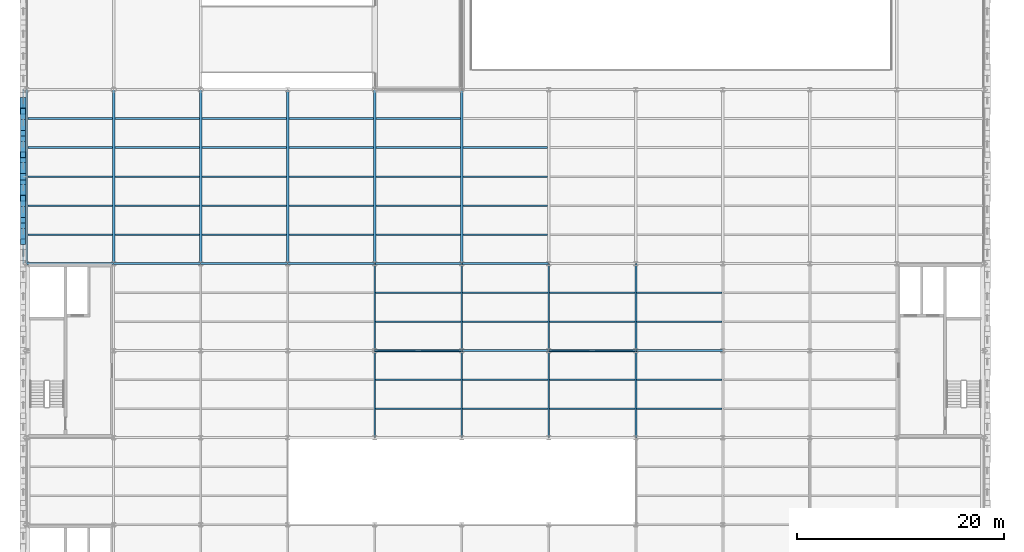
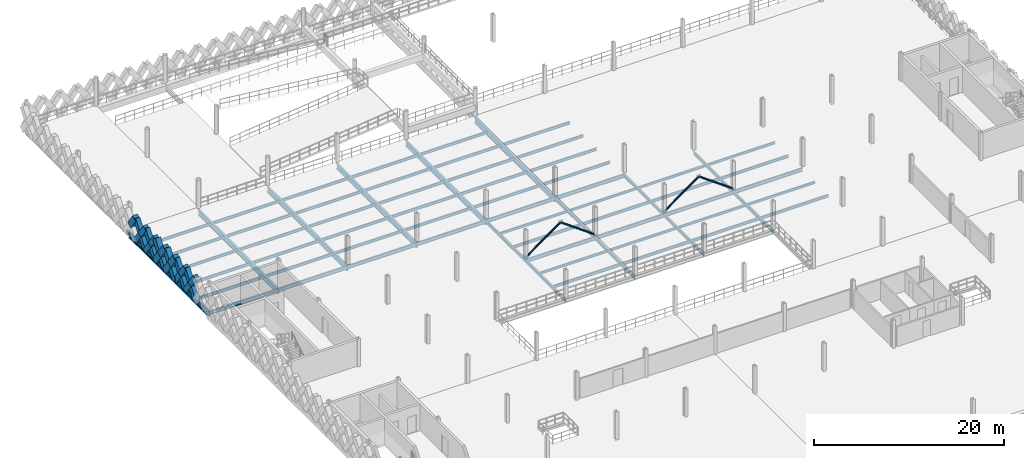
# One storey, part 26 of 74: 69 beams, 25 members.
"""IFC4 building model written with IfcOpenShell, lengths in metres."""

from ifc_helpers import new_model, si_unit, direction, frame, origin, origin_2d, place, context, subcontext, project, spatial, rectangle, hollow_rectangle, hollow_circle, i_section, extrude, material, material_profile, profile_set, type_object, element, save


model = new_model("IFC4")

# Units and contexts
model_context = context("Model", 3, precision=1e-05, world=origin(), true_north=direction((0.0, 1.0)))
body_context = subcontext(model_context, "Body", "Model", "MODEL_VIEW")
ifc_project = project(units=[si_unit("LENGTHUNIT", "METRE"), si_unit("AREAUNIT", "SQUARE_METRE"), si_unit("VOLUMEUNIT", "CUBIC_METRE"), si_unit("PLANEANGLEUNIT", "RADIAN"), si_unit("MASSUNIT", "GRAM", prefix="KILO"), si_unit("THERMODYNAMICTEMPERATUREUNIT", "KELVIN"), si_unit("POWERUNIT", "WATT")], contexts=[model_context])

# Site, building, storey
site_placement = place(None, origin())
site = spatial("IfcSite", under=ifc_project, at=site_placement, CompositionType="ELEMENT")
building_placement = place(site_placement, origin())
building = spatial("IfcBuilding", under=site, at=building_placement, Name="Tembeka Court Mobility Hub", CompositionType="ELEMENT")
storey_placement = place(building_placement, frame((0.0, 0.0, 12.60009765625)))
storey = spatial("IfcBuildingStorey", under=building, at=storey_placement, Name="L03", CompositionType="ELEMENT", Elevation=12.60009765625)

# Beams
ifc_material_1 = material(Name="Steel S355", Category="steel")
ifc_material_profile_1 = material_profile(ifc_material_1, i_section(OverallWidth=0.18994140625, OverallDepth=0.45703125, WebThickness=0.009033203125, FlangeThickness=0.014404296875, FilletRadius=0.01025390625, at=origin_2d()), Name="UKB 457x191x74")
ifc_profile_set_1 = profile_set([ifc_material_profile_1], Name="Steel S355")
beam_type_1 = type_object("IfcBeamType", Name="BM-B01", PredefinedType="BEAM", material=ifc_profile_set_1)
for number, where, z_axis, x_axis, name in (
    (1, (33.60009765625, 72.0, -0.448486328125), (1.0, 0.0, 0.0), (0.0, 1.0, 0.0), "Beam B01 (BM-L03-X1775)"),
    (2, (42.0, 72.0, -0.448486328125), (1.0, 0.0, 0.0), (0.0, 1.0, 0.0), "Beam B01 (BM-L03-X1776)"),
):
    element("IfcBeam", number, at=place(storey_placement, frame(where, z_axis=z_axis, x_axis=x_axis)), inside=storey, type_object=beam_type_1, Name=name, PredefinedType="BEAM", context=body_context, shape_type="SweptSolid", body=[
        extrude(i_section(OverallWidth=0.18994140625, OverallDepth=0.45703125, WebThickness=0.009033203125, FlangeThickness=0.014404296875, FilletRadius=0.01025390625, at=origin_2d()), origin(), (0.0, 0.0, 1.0), 8.39990234375),
    ])
beam_1_placement = place(storey_placement, frame((50.39990234375, 72.0, -0.448486328125), z_axis=(1.0, 0.0, 0.0), x_axis=(0.0, 1.0, 0.0)))
element("IfcBeam", 3, at=beam_1_placement, inside=storey, type_object=beam_type_1, Name="Beam B01 (BM-L03-X1777)", PredefinedType="BEAM", context=body_context, shape_type="SweptSolid", body=[
    extrude(i_section(OverallWidth=0.18994140625, OverallDepth=0.45703125, WebThickness=0.009033203125, FlangeThickness=0.014404296875, FilletRadius=0.01025390625, at=origin_2d()), origin(), (0.0, 0.0, 1.0), 8.400146484375),
])
for number, where, z_axis, x_axis, name in (
    (4, (58.800048828125, 72.0, -0.448486328125), (1.0, 0.0, 0.0), (0.0, 1.0, 0.0), "Beam B01 (BM-L03-X1778)"),
    (5, (0.0, 80.39990234375, -0.448486328125), (1.0, 0.0, 0.0), (0.0, 1.0, 0.0), "Beam B01 (BM-L03-X1781)"),
):
    element("IfcBeam", number, at=place(storey_placement, frame(where, z_axis=z_axis, x_axis=x_axis)), inside=storey, type_object=beam_type_1, Name=name, PredefinedType="BEAM", context=body_context, shape_type="SweptSolid", body=[
        extrude(i_section(OverallWidth=0.18994140625, OverallDepth=0.45703125, WebThickness=0.009033203125, FlangeThickness=0.014404296875, FilletRadius=0.01025390625, at=origin_2d()), origin(), (0.0, 0.0, 1.0), 8.39990234375),
    ])
beam_2_placement = place(storey_placement, frame((8.39990234375, 80.39990234375, -0.448486328125), z_axis=(1.0, 0.0, 0.0), x_axis=(0.0, 1.0, 0.0)))
element("IfcBeam", 6, at=beam_2_placement, inside=storey, type_object=beam_type_1, Name="Beam B01 (BM-L03-X1782)", PredefinedType="BEAM", context=body_context, shape_type="SweptSolid", body=[
    extrude(i_section(OverallWidth=0.18994140625, OverallDepth=0.45703125, WebThickness=0.009033203125, FlangeThickness=0.014404296875, FilletRadius=0.01025390625, at=origin_2d()), origin(), (0.0, 0.0, 1.0), 8.400146484375),
])
beam_3_placement = place(storey_placement, frame((16.800048828125, 80.39990234375, -0.448486328125), z_axis=(1.0, 0.0, 0.0), x_axis=(0.0, 1.0, 0.0)))
element("IfcBeam", 7, at=beam_3_placement, inside=storey, type_object=beam_type_1, Name="Beam B01 (BM-L03-X1783)", PredefinedType="BEAM", context=body_context, shape_type="SweptSolid", body=[
    extrude(i_section(OverallWidth=0.18994140625, OverallDepth=0.45703125, WebThickness=0.009033203125, FlangeThickness=0.014404296875, FilletRadius=0.01025390625, at=origin_2d()), origin(), (0.0, 0.0, 1.0), 8.39990234375),
])
beam_4_placement = place(storey_placement, frame((25.199951171875, 80.39990234375, -0.448486328125), z_axis=(1.0, 0.0, 0.0), x_axis=(0.0, 1.0, 0.0)))
element("IfcBeam", 8, at=beam_4_placement, inside=storey, type_object=beam_type_1, Name="Beam B01 (BM-L03-X1784)", PredefinedType="BEAM", context=body_context, shape_type="SweptSolid", body=[
    extrude(i_section(OverallWidth=0.18994140625, OverallDepth=0.45703125, WebThickness=0.009033203125, FlangeThickness=0.014404296875, FilletRadius=0.01025390625, at=origin_2d()), origin(), (0.0, 0.0, 1.0), 8.400146484375),
])
for number, where, z_axis, x_axis, name in (
    (9, (33.60009765625, 80.39990234375, -0.448486328125), (1.0, 0.0, 0.0), (0.0, 1.0, 0.0), "Beam B01 (BM-L03-X1785)"),
    (10, (42.0, 80.39990234375, -0.448486328125), (1.0, 0.0, 0.0), (0.0, 1.0, 0.0), "Beam B01 (BM-L03-X1786)"),
):
    element("IfcBeam", number, at=place(storey_placement, frame(where, z_axis=z_axis, x_axis=x_axis)), inside=storey, type_object=beam_type_1, Name=name, PredefinedType="BEAM", context=body_context, shape_type="SweptSolid", body=[
        extrude(i_section(OverallWidth=0.18994140625, OverallDepth=0.45703125, WebThickness=0.009033203125, FlangeThickness=0.014404296875, FilletRadius=0.01025390625, at=origin_2d()), origin(), (0.0, 0.0, 1.0), 8.39990234375),
    ])
ifc_material_profile_2 = material_profile(ifc_material_1, i_section(OverallWidth=0.177978515625, OverallDepth=0.406005859375, WebThickness=0.0078125, FlangeThickness=0.0126953125, FilletRadius=0.01025390625, at=origin_2d()), Name="UKB 406x178x60")
ifc_profile_set_2 = profile_set([ifc_material_profile_2], Name="Steel S355")
beam_type_2 = type_object("IfcBeamType", Name="BM-B02", PredefinedType="BEAM", material=ifc_profile_set_2)
for number, where, z_axis, x_axis, name in (
    (11, (33.60009765625, 63.60009765625, -0.423095703125), (0.0, 1.0, 0.0), (-1.0, 0.0, 0.0), "Beam B02 (BM-L03-Y1859)"),
    (12, (33.60009765625, 72.0, -0.423095703125), (0.0, 1.0, 0.0), (-1.0, 0.0, 0.0), "Beam B02 (BM-L03-Y1860)"),
    (13, (42.0, 63.60009765625, -0.423095703125), (0.0, 1.0, 0.0), (-1.0, 0.0, 0.0), "Beam B02 (BM-L03-Y1867)"),
    (14, (42.0, 72.0, -0.423095703125), (0.0, 1.0, 0.0), (-1.0, 0.0, 0.0), "Beam B02 (BM-L03-Y1868)"),
    (15, (50.39990234375, 63.60009765625, -0.423095703125), (0.0, 1.0, 0.0), (-1.0, 0.0, 0.0), "Beam B02 (BM-L03-Y1875)"),
    (16, (50.39990234375, 72.0, -0.423095703125), (0.0, 1.0, 0.0), (-1.0, 0.0, 0.0), "Beam B02 (BM-L03-Y1876)"),
    (17, (58.800048828125, 63.60009765625, -0.423095703125), (0.0, 1.0, 0.0), (-1.0, 0.0, 0.0), "Beam B02 (BM-L03-Y1882)"),
    (18, (58.800048828125, 72.0, -0.423095703125), (0.0, 1.0, 0.0), (-1.0, 0.0, 0.0), "Beam B02 (BM-L03-Y1883)"),
):
    element("IfcBeam", number, at=place(storey_placement, frame(where, z_axis=z_axis, x_axis=x_axis)), inside=storey, type_object=beam_type_2, Name=name, PredefinedType="BEAM", context=body_context, shape_type="SweptSolid", body=[
        extrude(i_section(OverallWidth=0.177978515625, OverallDepth=0.406005859375, WebThickness=0.0078125, FlangeThickness=0.0126953125, FilletRadius=0.01025390625, at=origin_2d()), origin(), (0.0, 0.0, 1.0), 8.39990234375),
    ])
ifc_material_profile_3 = material_profile(ifc_material_1, i_section(OverallWidth=0.25390625, OverallDepth=0.68408203125, WebThickness=0.012451171875, FlangeThickness=0.01904296875, FilletRadius=0.01513671875, at=origin_2d()), Name="UKB 686x254x140")
ifc_profile_set_3 = profile_set([ifc_material_profile_3], Name="Steel S355")
beam_type_3 = type_object("IfcBeamType", Name="BM-G01", PredefinedType="USERDEFINED", material=ifc_profile_set_3)
for number, where, z_axis, x_axis, name in (
    (19, (0.0, 80.39990234375, -0.56201171875), (0.0, 1.0, 0.0), (-1.0, 0.0, 0.0), "Beam G01 (BM-L03-Y1824)"),
    (20, (8.39990234375, 80.39990234375, -0.592041015625), (0.0, 1.0, 0.0), (-1.0, 0.0, 0.0), "Beam G01 (BM-L03-Y1835)"),
    (21, (16.800048828125, 80.39990234375, -0.592041015625), (0.0, 1.0, 0.0), (-1.0, 0.0, 0.0), "Beam G01 (BM-L03-Y1846)"),
    (22, (25.199951171875, 80.39990234375, -0.56201171875), (0.0, 1.0, 0.0), (-1.0, 0.0, 0.0), "Beam G01 (BM-L03-Y1855)"),
    (23, (33.60009765625, 80.39990234375, -0.56201171875), (0.0, 1.0, 0.0), (-1.0, 0.0, 0.0), "Beam G01 (BM-L03-Y1861)"),
    (24, (42.0, 80.39990234375, -0.56201171875), (0.0, 1.0, 0.0), (-1.0, 0.0, 0.0), "Beam G01 (BM-L03-Y1869)"),
):
    element("IfcBeam", number, at=place(storey_placement, frame(where, z_axis=z_axis, x_axis=x_axis)), inside=storey, type_object=beam_type_3, Name=name, ObjectType="GIRDER", PredefinedType="USERDEFINED", context=body_context, shape_type="SweptSolid", body=[
        extrude(i_section(OverallWidth=0.25390625, OverallDepth=0.68408203125, WebThickness=0.012451171875, FlangeThickness=0.01904296875, FilletRadius=0.01513671875, at=origin_2d()), origin(), (0.0, 0.0, 1.0), 16.800048828125),
    ])
ifc_material_profile_4 = material_profile(ifc_material_1, i_section(OverallWidth=0.172119140625, OverallDepth=0.35498046875, WebThickness=0.00732421875, FlangeThickness=0.011474609375, FilletRadius=0.01025390625, at=origin_2d()), Name="UKB 356x171x51")
ifc_profile_set_4 = profile_set([ifc_material_profile_4], Name="Steel S355")
beam_type_4 = type_object("IfcBeamType", Name="BM-J01", PredefinedType="JOIST", material=ifc_profile_set_4)
for number, where, z_axis, x_axis, name in (
    (25, (0.1220703125, 83.199951171875, -0.397705078125), (1.0, 0.0, 0.0), (0.0, 1.0, 0.0), "Beam J01 (JST-L03-1953)"),
    (26, (0.1220703125, 86.0, -0.397705078125), (1.0, 0.0, 0.0), (0.0, 1.0, 0.0), "Beam J01 (JST-L03-1954)"),
    (27, (0.1220703125, 88.800048828125, -0.397705078125), (1.0, 0.0, 0.0), (0.0, 1.0, 0.0), "Beam J01 (JST-L03-1955)"),
    (28, (0.1220703125, 91.60009765625, -0.397705078125), (1.0, 0.0, 0.0), (0.0, 1.0, 0.0), "Beam J01 (JST-L03-1956)"),
    (29, (0.1220703125, 94.39990234375, -0.397705078125), (1.0, 0.0, 0.0), (0.0, 1.0, 0.0), "Beam J01 (JST-L03-1957)"),
    (30, (8.52197265625, 83.199951171875, -0.397705078125), (1.0, 0.0, 0.0), (0.0, 1.0, 0.0), "Beam J01 (JST-L03-1973)"),
    (31, (8.52197265625, 86.0, -0.397705078125), (1.0, 0.0, 0.0), (0.0, 1.0, 0.0), "Beam J01 (JST-L03-1974)"),
    (32, (8.52197265625, 88.800048828125, -0.397705078125), (1.0, 0.0, 0.0), (0.0, 1.0, 0.0), "Beam J01 (JST-L03-1975)"),
    (33, (8.52197265625, 91.60009765625, -0.397705078125), (1.0, 0.0, 0.0), (0.0, 1.0, 0.0), "Beam J01 (JST-L03-1976)"),
    (34, (8.52197265625, 94.39990234375, -0.397705078125), (1.0, 0.0, 0.0), (0.0, 1.0, 0.0), "Beam J01 (JST-L03-1977)"),
):
    element("IfcBeam", number, at=place(storey_placement, frame(where, z_axis=z_axis, x_axis=x_axis)), inside=storey, type_object=beam_type_4, Name=name, PredefinedType="JOIST", context=body_context, shape_type="SweptSolid", body=[
        extrude(i_section(OverallWidth=0.172119140625, OverallDepth=0.35498046875, WebThickness=0.00732421875, FlangeThickness=0.011474609375, FilletRadius=0.01025390625, at=origin_2d()), origin(), (0.0, 0.0, 1.0), 8.156005859375),
    ])
for number, where, z_axis, x_axis, name in (
    (35, (16.922119140625, 83.199951171875, -0.397705078125), (1.0, 0.0, 0.0), (0.0, 1.0, 0.0), "Beam J01 (JST-L03-1993)"),
    (36, (16.922119140625, 86.0, -0.397705078125), (1.0, 0.0, 0.0), (0.0, 1.0, 0.0), "Beam J01 (JST-L03-1994)"),
    (37, (16.922119140625, 88.800048828125, -0.397705078125), (1.0, 0.0, 0.0), (0.0, 1.0, 0.0), "Beam J01 (JST-L03-1995)"),
    (38, (16.922119140625, 91.60009765625, -0.397705078125), (1.0, 0.0, 0.0), (0.0, 1.0, 0.0), "Beam J01 (JST-L03-1996)"),
    (39, (16.922119140625, 94.39990234375, -0.397705078125), (1.0, 0.0, 0.0), (0.0, 1.0, 0.0), "Beam J01 (JST-L03-1997)"),
):
    element("IfcBeam", number, at=place(storey_placement, frame(where, z_axis=z_axis, x_axis=x_axis)), inside=storey, type_object=beam_type_4, Name=name, PredefinedType="JOIST", context=body_context, shape_type="SweptSolid", body=[
        extrude(i_section(OverallWidth=0.172119140625, OverallDepth=0.35498046875, WebThickness=0.00732421875, FlangeThickness=0.011474609375, FilletRadius=0.01025390625, at=origin_2d()), origin(), (0.0, 0.0, 1.0), 8.15576171875),
    ])
for number, where, z_axis, x_axis, name in (
    (40, (25.322021484375, 83.199951171875, -0.397705078125), (1.0, 0.0, 0.0), (0.0, 1.0, 0.0), "Beam J01 (JST-L03-2011)"),
    (41, (25.322021484375, 86.0, -0.397705078125), (1.0, 0.0, 0.0), (0.0, 1.0, 0.0), "Beam J01 (JST-L03-2012)"),
    (42, (25.322021484375, 88.800048828125, -0.397705078125), (1.0, 0.0, 0.0), (0.0, 1.0, 0.0), "Beam J01 (JST-L03-2013)"),
    (43, (25.322021484375, 91.60009765625, -0.397705078125), (1.0, 0.0, 0.0), (0.0, 1.0, 0.0), "Beam J01 (JST-L03-2014)"),
    (44, (25.322021484375, 94.39990234375, -0.397705078125), (1.0, 0.0, 0.0), (0.0, 1.0, 0.0), "Beam J01 (JST-L03-2015)"),
    (45, (33.721923828125, 83.199951171875, -0.397705078125), (1.0, 0.0, 0.0), (0.0, 1.0, 0.0), "Beam J01 (JST-L03-2029)"),
    (46, (33.721923828125, 86.0, -0.397705078125), (1.0, 0.0, 0.0), (0.0, 1.0, 0.0), "Beam J01 (JST-L03-2030)"),
    (47, (33.721923828125, 88.800048828125, -0.397705078125), (1.0, 0.0, 0.0), (0.0, 1.0, 0.0), "Beam J01 (JST-L03-2031)"),
    (48, (33.721923828125, 91.60009765625, -0.397705078125), (1.0, 0.0, 0.0), (0.0, 1.0, 0.0), "Beam J01 (JST-L03-2032)"),
    (49, (33.721923828125, 94.39990234375, -0.397705078125), (1.0, 0.0, 0.0), (0.0, 1.0, 0.0), "Beam J01 (JST-L03-2033)"),
    (50, (42.1220703125, 83.199951171875, -0.397705078125), (1.0, 0.0, 0.0), (0.0, 1.0, 0.0), "Beam J01 (JST-L03-2047)"),
    (51, (42.1220703125, 86.0, -0.397705078125), (1.0, 0.0, 0.0), (0.0, 1.0, 0.0), "Beam J01 (JST-L03-2048)"),
    (52, (42.1220703125, 88.800048828125, -0.397705078125), (1.0, 0.0, 0.0), (0.0, 1.0, 0.0), "Beam J01 (JST-L03-2049)"),
    (53, (42.1220703125, 91.60009765625, -0.397705078125), (1.0, 0.0, 0.0), (0.0, 1.0, 0.0), "Beam J01 (JST-L03-2050)"),
):
    element("IfcBeam", number, at=place(storey_placement, frame(where, z_axis=z_axis, x_axis=x_axis)), inside=storey, type_object=beam_type_4, Name=name, PredefinedType="JOIST", context=body_context, shape_type="SweptSolid", body=[
        extrude(i_section(OverallWidth=0.172119140625, OverallDepth=0.35498046875, WebThickness=0.00732421875, FlangeThickness=0.011474609375, FilletRadius=0.01025390625, at=origin_2d()), origin(), (0.0, 0.0, 1.0), 8.156005859375),
    ])
ifc_material_profile_5 = material_profile(ifc_material_1, i_section(OverallWidth=0.1650390625, OverallDepth=0.303955078125, WebThickness=0.006103515625, FlangeThickness=0.01025390625, FilletRadius=0.0087890625, at=origin_2d()), Name="UKB 305x165x40")
ifc_profile_set_5 = profile_set([ifc_material_profile_5], Name="Steel S355")
beam_type_5 = type_object("IfcBeamType", Name="BM-J02", PredefinedType="JOIST", material=ifc_profile_set_5)
for number, where, z_axis, x_axis, name in (
    (54, (33.68408203125, 69.199951171875, -0.3720703125), (1.0, 0.0, 0.0), (0.0, 1.0, 0.0), "Beam J02 (JST-L03-2026)"),
    (55, (33.68408203125, 77.60009765625, -0.3720703125), (1.0, 0.0, 0.0), (0.0, 1.0, 0.0), "Beam J02 (JST-L03-2028)"),
    (56, (42.083984375, 69.199951171875, -0.3720703125), (1.0, 0.0, 0.0), (0.0, 1.0, 0.0), "Beam J02 (JST-L03-2044)"),
    (57, (42.083984375, 77.60009765625, -0.3720703125), (1.0, 0.0, 0.0), (0.0, 1.0, 0.0), "Beam J02 (JST-L03-2046)"),
):
    element("IfcBeam", number, at=place(storey_placement, frame(where, z_axis=z_axis, x_axis=x_axis)), inside=storey, type_object=beam_type_5, Name=name, PredefinedType="JOIST", context=body_context, shape_type="SweptSolid", body=[
        extrude(i_section(OverallWidth=0.1650390625, OverallDepth=0.303955078125, WebThickness=0.006103515625, FlangeThickness=0.01025390625, FilletRadius=0.0087890625, at=origin_2d()), origin(), (0.0, 0.0, 1.0), 8.23193359375),
    ])
for number, where, z_axis, x_axis, name in (
    (58, (50.48388671875, 69.199951171875, -0.3720703125), (1.0, 0.0, 0.0), (0.0, 1.0, 0.0), "Beam J02 (JST-L03-2062)"),
    (59, (50.48388671875, 77.60009765625, -0.3720703125), (1.0, 0.0, 0.0), (0.0, 1.0, 0.0), "Beam J02 (JST-L03-2064)"),
):
    element("IfcBeam", number, at=place(storey_placement, frame(where, z_axis=z_axis, x_axis=x_axis)), inside=storey, type_object=beam_type_5, Name=name, PredefinedType="JOIST", context=body_context, shape_type="SweptSolid", body=[
        extrude(i_section(OverallWidth=0.1650390625, OverallDepth=0.303955078125, WebThickness=0.006103515625, FlangeThickness=0.01025390625, FilletRadius=0.0087890625, at=origin_2d()), origin(), (0.0, 0.0, 1.0), 8.232177734375),
    ])
for number, where, z_axis, x_axis, name in (
    (60, (58.884033203125, 69.199951171875, -0.3720703125), (1.0, 0.0, 0.0), (0.0, 1.0, 0.0), "Beam J02 (JST-L03-2082)"),
    (61, (58.884033203125, 77.60009765625, -0.3720703125), (1.0, 0.0, 0.0), (0.0, 1.0, 0.0), "Beam J02 (JST-L03-2084)"),
):
    element("IfcBeam", number, at=place(storey_placement, frame(where, z_axis=z_axis, x_axis=x_axis)), inside=storey, type_object=beam_type_5, Name=name, PredefinedType="JOIST", context=body_context, shape_type="SweptSolid", body=[
        extrude(i_section(OverallWidth=0.1650390625, OverallDepth=0.303955078125, WebThickness=0.006103515625, FlangeThickness=0.01025390625, FilletRadius=0.0087890625, at=origin_2d()), origin(), (0.0, 0.0, 1.0), 8.23193359375),
    ])
ifc_material_profile_6 = material_profile(ifc_material_1, i_section(OverallWidth=0.169921875, OverallDepth=0.360107421875, WebThickness=0.008056640625, FlangeThickness=0.0126953125, FilletRadius=0.01806640625, at=origin_2d()), Name="IPE 360")
ifc_profile_set_6 = profile_set([ifc_material_profile_6], Name="Steel S355")
beam_type_6 = type_object("IfcBeamType", Name="BM-J03", PredefinedType="JOIST", material=ifc_profile_set_6)
for number, where, z_axis, x_axis, name in (
    (62, (33.68408203125, 66.39990234375, -0.400146484375), (1.0, 0.0, 0.0), (0.0, 1.0, 0.0), "Beam J03 (JST-L03-2025)"),
    (63, (33.68408203125, 74.800048828125, -0.400146484375), (1.0, 0.0, 0.0), (0.0, 1.0, 0.0), "Beam J03 (JST-L03-2027)"),
    (64, (42.083984375, 66.39990234375, -0.400146484375), (1.0, 0.0, 0.0), (0.0, 1.0, 0.0), "Beam J03 (JST-L03-2043)"),
    (65, (42.083984375, 74.800048828125, -0.400146484375), (1.0, 0.0, 0.0), (0.0, 1.0, 0.0), "Beam J03 (JST-L03-2045)"),
):
    element("IfcBeam", number, at=place(storey_placement, frame(where, z_axis=z_axis, x_axis=x_axis)), inside=storey, type_object=beam_type_6, Name=name, PredefinedType="JOIST", context=body_context, shape_type="SweptSolid", body=[
        extrude(i_section(OverallWidth=0.169921875, OverallDepth=0.360107421875, WebThickness=0.008056640625, FlangeThickness=0.0126953125, FilletRadius=0.01806640625, at=origin_2d()), origin(), (0.0, 0.0, 1.0), 8.23193359375),
    ])
for number, where, z_axis, x_axis, name in (
    (66, (50.48388671875, 66.39990234375, -0.400146484375), (1.0, 0.0, 0.0), (0.0, 1.0, 0.0), "Beam J03 (JST-L03-2061)"),
    (67, (50.48388671875, 74.800048828125, -0.400146484375), (1.0, 0.0, 0.0), (0.0, 1.0, 0.0), "Beam J03 (JST-L03-2063)"),
):
    element("IfcBeam", number, at=place(storey_placement, frame(where, z_axis=z_axis, x_axis=x_axis)), inside=storey, type_object=beam_type_6, Name=name, PredefinedType="JOIST", context=body_context, shape_type="SweptSolid", body=[
        extrude(i_section(OverallWidth=0.169921875, OverallDepth=0.360107421875, WebThickness=0.008056640625, FlangeThickness=0.0126953125, FilletRadius=0.01806640625, at=origin_2d()), origin(), (0.0, 0.0, 1.0), 8.232177734375),
    ])
for number, where, z_axis, x_axis, name in (
    (68, (58.884033203125, 66.39990234375, -0.400146484375), (1.0, 0.0, 0.0), (0.0, 1.0, 0.0), "Beam J03 (JST-L03-2081)"),
    (69, (58.884033203125, 74.800048828125, -0.400146484375), (1.0, 0.0, 0.0), (0.0, 1.0, 0.0), "Beam J03 (JST-L03-2083)"),
):
    element("IfcBeam", number, at=place(storey_placement, frame(where, z_axis=z_axis, x_axis=x_axis)), inside=storey, type_object=beam_type_6, Name=name, PredefinedType="JOIST", context=body_context, shape_type="SweptSolid", body=[
        extrude(i_section(OverallWidth=0.169921875, OverallDepth=0.360107421875, WebThickness=0.008056640625, FlangeThickness=0.0126953125, FilletRadius=0.01806640625, at=origin_2d()), origin(), (0.0, 0.0, 1.0), 8.23193359375),
    ])

# Members
ifc_material_profile_7 = material_profile(ifc_material_1, hollow_circle(Radius=0.109619140625, WallThickness=0.010009765625, at=origin_2d()), Name="CHS 219.1x10")
ifc_profile_set_7 = profile_set([ifc_material_profile_7], Name="Steel S355")
member_type_1 = type_object("IfcMemberType", Name="MEM-BR01", PredefinedType="BRACE", material=ifc_profile_set_7)
for number, where, z_axis, x_axis, name in (
    (70, (33.60009765625, 72.0, 0.02001953125), (0.811001074363, 0.0, 0.585044662724), (0.0, 1.0, 0.0), "Steel chevron brace BR01 (L03-4A)"),
    (71, (42.0, 72.0, 0.02001953125), (-0.811001074363, 0.0, 0.585044662724), (0.0, -1.0, 0.0), "Steel chevron brace BR01 (L03-4B)"),
):
    element("IfcMember", number, at=place(storey_placement, frame(where, z_axis=z_axis, x_axis=x_axis)), inside=storey, type_object=member_type_1, Name=name, PredefinedType="BRACE", context=body_context, shape_type="SweptSolid", body=[
        extrude(hollow_circle(Radius=0.109619140625, WallThickness=0.010009765625, at=origin_2d()), origin(), (0.0, 0.0, 1.0), 5.1787109375),
    ])
member_1_placement = place(storey_placement, frame((50.39990234375, 72.0, 0.02001953125), z_axis=(0.811017209415, 0.0, 0.585022295329), x_axis=(0.0, 1.0, 0.0)))
element("IfcMember", 72, at=member_1_placement, inside=storey, type_object=member_type_1, Name="Steel chevron brace BR01 (L03-10A)", PredefinedType="BRACE", context=body_context, shape_type="SweptSolid", body=[
    extrude(hollow_circle(Radius=0.109619140625, WallThickness=0.010009765625, at=origin_2d()), origin(), (0.0, 0.0, 1.0), 5.178955078125),
])
member_2_placement = place(storey_placement, frame((58.800048828125, 72.0, 0.02001953125), z_axis=(-0.811001074363, 0.0, 0.585044662724), x_axis=(0.0, -1.0, 0.0)))
element("IfcMember", 73, at=member_2_placement, inside=storey, type_object=member_type_1, Name="Steel chevron brace BR01 (L03-10B)", PredefinedType="BRACE", context=body_context, shape_type="SweptSolid", body=[
    extrude(hollow_circle(Radius=0.109619140625, WallThickness=0.010009765625, at=origin_2d()), origin(), (0.0, 0.0, 1.0), 5.1787109375),
])
ifc_material_2 = material(Name="Precast concrete C45/55", Category="concrete")
ifc_material_profile_8 = material_profile(ifc_material_2, rectangle(XDim=0.5, YDim=0.64990234375, at=origin_2d()), Name="PC-DIAG 500x650")
ifc_profile_set_8 = profile_set([ifc_material_profile_8], Name="Precast concrete C45/55")
member_type_2 = type_object("IfcMemberType", Name="MEM-DL01", PredefinedType="BRACE", material=ifc_profile_set_8)
member_3_placement = place(storey_placement, frame((-0.340087890625, 82.5, 0.02001953125), z_axis=(0.0, 0.582576362011, 0.812775973086), x_axis=(-1.0, 0.0, 0.0)))
element("IfcMember", 74, at=member_3_placement, inside=storey, type_object=member_type_2, Name="Precast diamond lattice continuous strand DL01 (L03-516C)", PredefinedType="BRACE", context=body_context, shape_type="SweptSolid", body=[
    extrude(rectangle(XDim=0.5, YDim=0.64990234375, at=origin_2d()), origin(), (0.0, 0.0, 1.0), 3.604736328125),
])
member_4_placement = place(storey_placement, frame((-0.340087890625, 84.60009765625, 0.02001953125), z_axis=(0.0, -0.582608431711, 0.812752985414), x_axis=(1.0, 0.0, 0.0)))
element("IfcMember", 75, at=member_4_placement, inside=storey, type_object=member_type_2, Name="Precast diamond lattice split lower strand DL01 (L03-516D1)", PredefinedType="BRACE", context=body_context, shape_type="SweptSolid", body=[
    extrude(rectangle(XDim=0.5, YDim=0.64990234375, at=origin_2d()), origin(), (0.0, 0.0, 1.0), 1.80224609375),
])
member_5_placement = place(storey_placement, frame((-0.340087890625, 83.550048828125, 1.48486328125), z_axis=(0.0, -0.582544294934, 0.812798956963), x_axis=(1.0, 0.0, 0.0)))
element("IfcMember", 76, at=member_5_placement, inside=storey, type_object=member_type_2, Name="Precast diamond lattice split upper strand DL01 (L03-516D2)", PredefinedType="BRACE", context=body_context, shape_type="SweptSolid", body=[
    extrude(rectangle(XDim=0.5, YDim=0.64990234375, at=origin_2d()), origin(), (0.0, 0.0, 1.0), 1.802490234375),
])
member_6_placement = place(storey_placement, frame((-0.340087890625, 84.60009765625, 0.02001953125), z_axis=(0.0, 0.58253161945, 0.812808041509), x_axis=(-1.0, 0.0, 0.0)))
element("IfcMember", 77, at=member_6_placement, inside=storey, type_object=member_type_2, Name="Precast diamond lattice continuous strand DL01 (L03-517C)", PredefinedType="BRACE", context=body_context, shape_type="SweptSolid", body=[
    extrude(rectangle(XDim=0.5, YDim=0.64990234375, at=origin_2d()), origin(), (0.0, 0.0, 1.0), 3.604736328125),
])
member_7_placement = place(storey_placement, frame((-0.340087890625, 86.699951171875, 0.02001953125), z_axis=(0.0, -0.582608431711, 0.812752985414), x_axis=(1.0, 0.0, 0.0)))
element("IfcMember", 78, at=member_7_placement, inside=storey, type_object=member_type_2, Name="Precast diamond lattice split lower strand DL01 (L03-517D1)", PredefinedType="BRACE", context=body_context, shape_type="SweptSolid", body=[
    extrude(rectangle(XDim=0.5, YDim=0.64990234375, at=origin_2d()), origin(), (0.0, 0.0, 1.0), 1.80224609375),
])
member_8_placement = place(storey_placement, frame((-0.340087890625, 85.64990234375, 1.48486328125), z_axis=(0.0, -0.582454804382, 0.812863088627), x_axis=(1.0, 0.0, 0.0)))
element("IfcMember", 79, at=member_8_placement, inside=storey, type_object=member_type_2, Name="Precast diamond lattice split upper strand DL01 (L03-517D2)", PredefinedType="BRACE", context=body_context, shape_type="SweptSolid", body=[
    extrude(rectangle(XDim=0.5, YDim=0.64990234375, at=origin_2d()), origin(), (0.0, 0.0, 1.0), 1.802490234375),
])
member_9_placement = place(storey_placement, frame((-0.340087890625, 90.89990234375, 0.02001953125), z_axis=(0.0, 0.582576362011, 0.812775973086), x_axis=(-1.0, 0.0, 0.0)))
element("IfcMember", 80, at=member_9_placement, inside=storey, type_object=member_type_2, Name="Precast diamond lattice continuous strand DL01 (L03-520C)", PredefinedType="BRACE", context=body_context, shape_type="SweptSolid", body=[
    extrude(rectangle(XDim=0.5, YDim=0.64990234375, at=origin_2d()), origin(), (0.0, 0.0, 1.0), 3.604736328125),
])
member_10_placement = place(storey_placement, frame((-0.340087890625, 93.0, 0.02001953125), z_axis=(0.0, -0.582608431711, 0.812752985414), x_axis=(1.0, 0.0, 0.0)))
element("IfcMember", 81, at=member_10_placement, inside=storey, type_object=member_type_2, Name="Precast diamond lattice split lower strand DL01 (L03-520D1)", PredefinedType="BRACE", context=body_context, shape_type="SweptSolid", body=[
    extrude(rectangle(XDim=0.5, YDim=0.64990234375, at=origin_2d()), origin(), (0.0, 0.0, 1.0), 1.80224609375),
])
member_11_placement = place(storey_placement, frame((-0.340087890625, 91.949951171875, 1.48486328125), z_axis=(0.0, -0.582544294934, 0.812798956963), x_axis=(1.0, 0.0, 0.0)))
element("IfcMember", 82, at=member_11_placement, inside=storey, type_object=member_type_2, Name="Precast diamond lattice split upper strand DL01 (L03-520D2)", PredefinedType="BRACE", context=body_context, shape_type="SweptSolid", body=[
    extrude(rectangle(XDim=0.5, YDim=0.64990234375, at=origin_2d()), origin(), (0.0, 0.0, 1.0), 1.802490234375),
])
member_12_placement = place(storey_placement, frame((-0.340087890625, 93.0, 0.02001953125), z_axis=(0.0, 0.582576362011, 0.812775973086), x_axis=(-1.0, 0.0, 0.0)))
element("IfcMember", 83, at=member_12_placement, inside=storey, type_object=member_type_2, Name="Precast diamond lattice continuous strand DL01 (L03-521C)", PredefinedType="BRACE", context=body_context, shape_type="SweptSolid", body=[
    extrude(rectangle(XDim=0.5, YDim=0.64990234375, at=origin_2d()), origin(), (0.0, 0.0, 1.0), 3.604736328125),
])
member_13_placement = place(storey_placement, frame((-0.340087890625, 95.10009765625, 0.02001953125), z_axis=(0.0, -0.582608431711, 0.812752985414), x_axis=(1.0, 0.0, 0.0)))
element("IfcMember", 84, at=member_13_placement, inside=storey, type_object=member_type_2, Name="Precast diamond lattice split lower strand DL01 (L03-521D1)", PredefinedType="BRACE", context=body_context, shape_type="SweptSolid", body=[
    extrude(rectangle(XDim=0.5, YDim=0.64990234375, at=origin_2d()), origin(), (0.0, 0.0, 1.0), 1.80224609375),
])
member_14_placement = place(storey_placement, frame((-0.340087890625, 94.050048828125, 1.48486328125), z_axis=(0.0, -0.582544294934, 0.812798956963), x_axis=(1.0, 0.0, 0.0)))
element("IfcMember", 85, at=member_14_placement, inside=storey, type_object=member_type_2, Name="Precast diamond lattice split upper strand DL01 (L03-521D2)", PredefinedType="BRACE", context=body_context, shape_type="SweptSolid", body=[
    extrude(rectangle(XDim=0.5, YDim=0.64990234375, at=origin_2d()), origin(), (0.0, 0.0, 1.0), 1.802490234375),
])
ifc_material_profile_9 = material_profile(ifc_material_2, rectangle(XDim=0.60009765625, YDim=0.75, at=origin_2d()), Name="PC-DIAG 600x750")
ifc_profile_set_9 = profile_set([ifc_material_profile_9], Name="Precast concrete C45/55")
member_type_3 = type_object("IfcMemberType", Name="MEM-DL02", PredefinedType="BRACE", material=ifc_profile_set_9)
member_15_placement = place(storey_placement, frame((-0.340087890625, 86.699951171875, 0.02001953125), z_axis=(0.0, 0.582576362011, 0.812775973086), x_axis=(-1.0, 0.0, 0.0)))
element("IfcMember", 86, at=member_15_placement, inside=storey, type_object=member_type_3, Name="Precast diamond lattice continuous strand DL02 (L03-518C)", PredefinedType="BRACE", context=body_context, shape_type="SweptSolid", body=[
    extrude(rectangle(XDim=0.60009765625, YDim=0.75, at=origin_2d()), origin(), (0.0, 0.0, 1.0), 3.604736328125),
])
member_16_placement = place(storey_placement, frame((-0.340087890625, 88.800048828125, 0.02001953125), z_axis=(0.0, -0.582608431711, 0.812752985414), x_axis=(1.0, 0.0, 0.0)))
element("IfcMember", 87, at=member_16_placement, inside=storey, type_object=member_type_3, Name="Precast diamond lattice split lower strand DL02 (L03-518D1)", PredefinedType="BRACE", context=body_context, shape_type="SweptSolid", body=[
    extrude(rectangle(XDim=0.60009765625, YDim=0.75, at=origin_2d()), origin(), (0.0, 0.0, 1.0), 1.80224609375),
])
member_17_placement = place(storey_placement, frame((-0.340087890625, 87.75, 1.48486328125), z_axis=(0.0, -0.582544294934, 0.812798956963), x_axis=(1.0, 0.0, 0.0)))
element("IfcMember", 88, at=member_17_placement, inside=storey, type_object=member_type_3, Name="Precast diamond lattice split upper strand DL02 (L03-518D2)", PredefinedType="BRACE", context=body_context, shape_type="SweptSolid", body=[
    extrude(rectangle(XDim=0.60009765625, YDim=0.75, at=origin_2d()), origin(), (0.0, 0.0, 1.0), 1.802490234375),
])
member_18_placement = place(storey_placement, frame((-0.340087890625, 88.800048828125, 0.02001953125), z_axis=(0.0, 0.58253161945, 0.812808041509), x_axis=(-1.0, 0.0, 0.0)))
element("IfcMember", 89, at=member_18_placement, inside=storey, type_object=member_type_3, Name="Precast diamond lattice continuous strand DL02 (L03-519C)", PredefinedType="BRACE", context=body_context, shape_type="SweptSolid", body=[
    extrude(rectangle(XDim=0.60009765625, YDim=0.75, at=origin_2d()), origin(), (0.0, 0.0, 1.0), 3.604736328125),
])
member_19_placement = place(storey_placement, frame((-0.340087890625, 90.89990234375, 0.02001953125), z_axis=(0.0, -0.582518941428, 0.812817127574), x_axis=(1.0, 0.0, 0.0)))
element("IfcMember", 90, at=member_19_placement, inside=storey, type_object=member_type_3, Name="Precast diamond lattice split lower strand DL02 (L03-519D1)", PredefinedType="BRACE", context=body_context, shape_type="SweptSolid", body=[
    extrude(rectangle(XDim=0.60009765625, YDim=0.75, at=origin_2d()), origin(), (0.0, 0.0, 1.0), 1.80224609375),
])
for number, where, z_axis, x_axis, name in (
    (91, (-0.340087890625, 89.85009765625, 1.48486328125), (0.0, -0.582544294934, 0.812798956963), (1.0, 0.0, 0.0), "Precast diamond lattice split upper strand DL02 (L03-519D2)"),
    (92, (-0.340087890625, 96.14990234375, 1.48486328125), (0.0, -0.582454804382, 0.812863088627), (1.0, 0.0, 0.0), "Precast diamond lattice split upper strand DL02 (L03-522D2)"),
):
    element("IfcMember", number, at=place(storey_placement, frame(where, z_axis=z_axis, x_axis=x_axis)), inside=storey, type_object=member_type_3, Name=name, PredefinedType="BRACE", context=body_context, shape_type="SweptSolid", body=[
        extrude(rectangle(XDim=0.60009765625, YDim=0.75, at=origin_2d()), origin(), (0.0, 0.0, 1.0), 1.802490234375),
    ])
ifc_material_profile_10 = material_profile(ifc_material_1, hollow_rectangle(XDim=0.14990234375, YDim=0.300048828125, WallThickness=0.010009765625, at=origin_2d()), Name="RHS 300x150x10")
ifc_profile_set_10 = profile_set([ifc_material_profile_10], Name="Steel S355")
member_type_4 = type_object("IfcMemberType", Name="MEM-ST03", PredefinedType="STRUT", material=ifc_profile_set_10)
member_20_placement = place(storey_placement, frame((-0.340087890625, 80.39990234375, 0.02001953125), z_axis=(0.0, 1.0, 0.0), x_axis=(-1.0, 0.0, 0.0)))
element("IfcMember", 93, at=member_20_placement, inside=storey, type_object=member_type_4, Name="Proud lattice sill tie chord SR03 (L03-W-80)", PredefinedType="STRUT", context=body_context, shape_type="SweptSolid", body=[
    extrude(hollow_rectangle(XDim=0.14990234375, YDim=0.300048828125, WallThickness=0.010009765625, at=origin_2d()), origin(), (0.0, 0.0, 1.0), 8.400146484375),
])
member_21_placement = place(storey_placement, frame((-0.340087890625, 88.800048828125, 0.02001953125), z_axis=(0.0, 1.0, 0.0), x_axis=(-1.0, 0.0, 0.0)))
element("IfcMember", 94, at=member_21_placement, inside=storey, type_object=member_type_4, Name="Proud lattice sill tie chord SR03 (L03-W-88)", PredefinedType="STRUT", context=body_context, shape_type="SweptSolid", body=[
    extrude(hollow_rectangle(XDim=0.14990234375, YDim=0.300048828125, WallThickness=0.010009765625, at=origin_2d()), origin(), (0.0, 0.0, 1.0), 8.39990234375),
])

save(model, "model.ifc")
